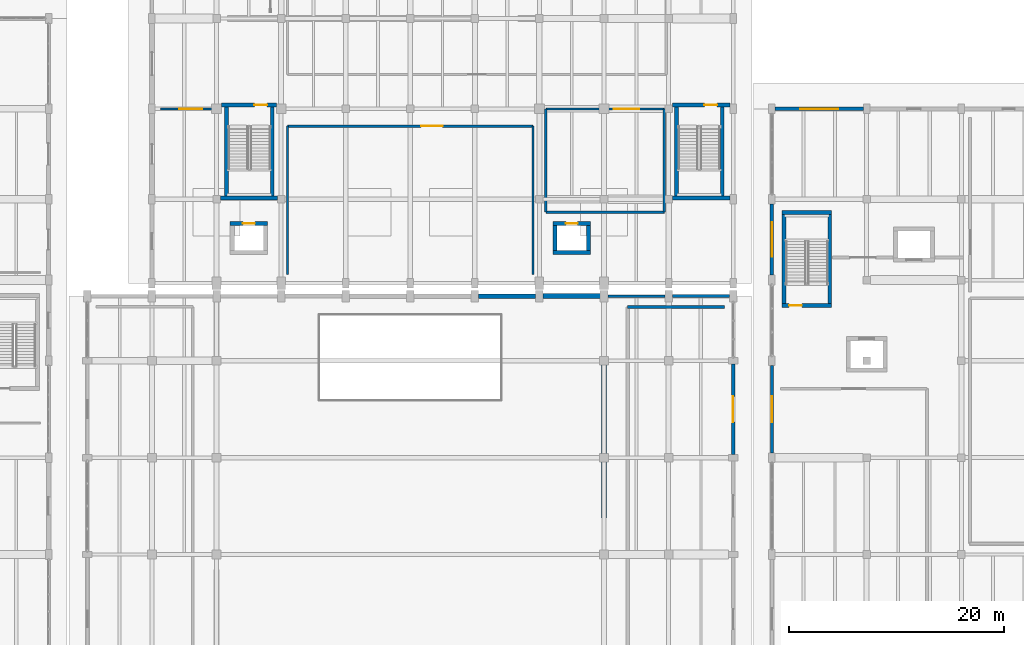
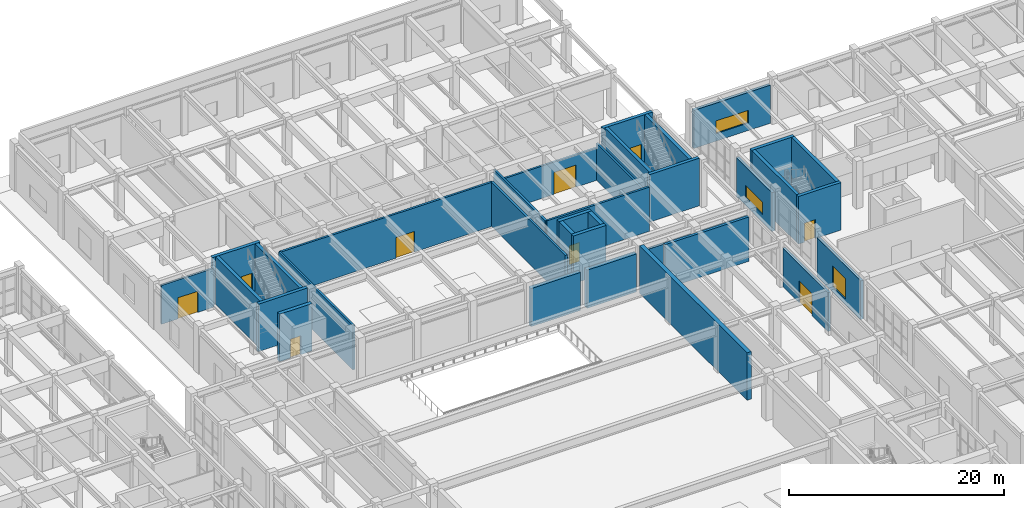
# One storey, part 75 of 91: 35 walls, 9 doors, 3 windows, 12 openings.
"""IFC4 building model written with IfcOpenShell, lengths in metres."""

import ifcopenshell
import ifcopenshell.guid

model = None  # the IFC model being written
_history = None  # IfcOwnerHistory: only IFC2X3 demands one
_inside = {}  # id of a spatial element -> (the spatial element, [elements in it])
_under = {}  # id of a project, library or spatial element -> (it, [spatial elements below it])
_declared = {}  # id of a project -> (the project, [libraries it declares])
_typed = {}  # id of a type object -> (the type object, [elements of that type])
_made_of = {}  # id of a material, layer set ... -> (it, [elements and type objects made of it])


def new_model(schema):
    """Start an empty IFC model of exactly this schema.

    Asked for "IFC4X3", IfcOpenShell would pick the latest addendum, in which some entities
    have other attributes; the version numbers below select the first issue.
    IFC2X3 requires an IfcOwnerHistory on every rooted entity: one is made here for all.
    """
    global model, _history
    if schema == "IFC4X3":
        model = ifcopenshell.file(schema_version=(4, 3, 0, 0))
    else:
        model = ifcopenshell.file(schema=schema)
    _inside.clear()
    _under.clear()
    _declared.clear()
    _typed.clear()
    _made_of.clear()
    _history = None
    if model.schema == "IFC2X3":
        org = make("IfcOrganization", Name="unknown")
        user = make(
            "IfcPersonAndOrganization",
            ThePerson=make("IfcPerson", FamilyName="unknown"),
            TheOrganization=org,
        )
        app = make(
            "IfcApplication",
            ApplicationDeveloper=org,
            Version="unknown",
            ApplicationFullName="unknown",
            ApplicationIdentifier="unknown",
        )
        _history = make(
            "IfcOwnerHistory",
            OwningUser=user,
            OwningApplication=app,
            ChangeAction="ADDED",
            CreationDate=0,
        )
    return model


def make(cls, **values):
    """One entity of the class cls with the attributes given. An attribute that is None is left unset."""
    return model.create_entity(
        cls, **{name: value for name, value in values.items() if value is not None}
    )


def rooted(cls, **values):
    """An entity with a GlobalId (a new one), such as an element, a storey or a relation."""
    return make(cls, GlobalId=ifcopenshell.guid.new(), OwnerHistory=_history, **values)


def si_unit(unit_type, name, prefix=None):
    """IfcSIUnit, for example si_unit("LENGTHUNIT", "METRE", prefix="MILLI")."""
    return make("IfcSIUnit", UnitType=unit_type, Prefix=prefix, Name=name)


def assignment(units):
    """IfcUnitAssignment: the units of a project."""
    return None if units is None else make("IfcUnitAssignment", Units=units)


def point(xyz):
    """IfcCartesianPoint."""
    return None if xyz is None else make("IfcCartesianPoint", Coordinates=xyz)


def direction(xyz):
    """IfcDirection."""
    return None if xyz is None else make("IfcDirection", DirectionRatios=xyz)


def frame(location, z_axis=None, x_axis=None):
    """IfcAxis2Placement3D, a coordinate frame: its origin and axes. An axis left out is left unset."""
    return make(
        "IfcAxis2Placement3D",
        Location=point(location),
        Axis=direction(z_axis),
        RefDirection=direction(x_axis),
    )


def frame_2d(location, x_axis=None):
    """IfcAxis2Placement2D, a coordinate frame in the plane: its origin and x axis."""
    return make(
        "IfcAxis2Placement2D", Location=point(location), RefDirection=direction(x_axis)
    )


def origin():
    """The frame at (0, 0, 0) with its axes left unset."""
    return frame((0.0, 0.0, 0.0))


def place(relative_to, where):
    """IfcLocalPlacement: puts the frame where relative to a parent placement (None: the world)."""
    return make(
        "IfcLocalPlacement", PlacementRelTo=relative_to, RelativePlacement=where
    )


def context(
    kind, dimensions, precision=None, world=None, true_north=None, identifier=None
):
    """IfcGeometricRepresentationContext, for example the 3D "Model" context."""
    return make(
        "IfcGeometricRepresentationContext",
        ContextIdentifier=identifier,
        ContextType=kind,
        CoordinateSpaceDimension=dimensions,
        Precision=precision,
        WorldCoordinateSystem=world,
        TrueNorth=true_north,
    )


def subcontext(parent, identifier, kind, view, scale=None):
    """IfcGeometricRepresentationSubContext, for example "Body" below "Model"."""
    return make(
        "IfcGeometricRepresentationSubContext",
        ContextIdentifier=identifier,
        ContextType=kind,
        ParentContext=parent,
        TargetScale=scale,
        TargetView=view,
    )


def project(units=None, contexts=None):
    """IfcProject with its units and contexts."""
    return rooted(
        "IfcProject",
        Name="project",
        RepresentationContexts=contexts,
        UnitsInContext=assignment(units),
    )


def spatial(cls, under=None, at=None, **own):
    """A site, building, storey or space (cls), placed at a placement, below another one or the project."""
    s = rooted(cls, ObjectPlacement=at, **own)
    if under is not None:
        _under.setdefault(under.id(), (under, []))[1].append(s)
    return s


def profile(cls, at=None, kind="AREA", **sizes):
    """A parametric profile (cls). Its sizes go by their IFC names, for example OverallWidth=200.0."""
    return make(cls, ProfileType=kind, Position=at, **sizes)


def rectangle(**sizes):
    """IfcRectangleProfileDef."""
    return profile("IfcRectangleProfileDef", **sizes)


def extrude(swept, where, along, depth):
    """IfcExtrudedAreaSolid: the profile swept, set in the frame where, extruded along a direction by depth."""
    return make(
        "IfcExtrudedAreaSolid",
        SweptArea=swept,
        Position=where,
        ExtrudedDirection=direction(along),
        Depth=depth,
    )


def shape(context_of_items, identifier, shape_type, items):
    """IfcShapeRepresentation: the items that make up one representation, for example the "Body"."""
    return make(
        "IfcShapeRepresentation",
        ContextOfItems=context_of_items,
        RepresentationIdentifier=identifier,
        RepresentationType=shape_type,
        Items=items,
    )


def material(Name=None, Category=None):
    """IfcMaterial."""
    return make("IfcMaterial", Name=Name, Category=Category)


def layer(
    of_material, thickness, ventilated=None, Name=None, Category=None, Priority=None
):
    """IfcMaterialLayer: one layer of a wall or slab, of a material (None: an air gap)."""
    return make(
        "IfcMaterialLayer",
        Material=of_material,
        LayerThickness=thickness,
        IsVentilated=ventilated,
        Name=Name,
        Category=Category,
        Priority=Priority,
    )


def layer_set(layers, Name=None):
    """IfcMaterialLayerSet."""
    return make("IfcMaterialLayerSet", MaterialLayers=layers, LayerSetName=Name)


def made_of(thing, what):
    """Note that an element or type object is made of a material, layer set ...; save() writes the relation."""
    if what is not None:
        _made_of.setdefault(what.id(), (what, []))[1].append(thing)
    return thing


def type_object(cls, material=None, **own):
    """A type object (cls), such as IfcWallType, which elements share."""
    return made_of(rooted(cls, **own), material)


def element(
    cls,
    number,
    at=None,
    inside=None,
    cuts=None,
    type_object=None,
    material=None,
    context=None,
    identifier="Body",
    shape_type=None,
    held_by="IfcProductDefinitionShape",
    body=None,
    shapes=None,
    **own,
):
    """One element of the class cls, such as IfcWall. Its Tag is "e" and its number.

    at: its placement. inside: the storey or other place that contains it. cuts: it is an
    opening in that element (IfcRelVoidsElement). A single representation is given by context,
    identifier, shape_type and body (its items); several are given by shapes. held_by: the class
    of the entity that holds the representations. save() writes the other relations.
    """
    e = rooted(cls, Tag="e%d" % number, ObjectPlacement=at, **own)
    if body is not None:
        shapes = [shape(context, identifier, shape_type, body)]
    if shapes is not None:
        e.Representation = make(held_by, Representations=shapes)
    if inside is not None:
        _inside.setdefault(inside.id(), (inside, []))[1].append(e)
    if cuts is not None:
        rooted(
            "IfcRelVoidsElement", RelatingBuildingElement=cuts, RelatedOpeningElement=e
        )
    if type_object is not None:
        _typed.setdefault(type_object.id(), (type_object, []))[1].append(e)
    return made_of(e, material)


def fill(opening, filler):
    """IfcRelFillsElement: the door or window that sits in an opening."""
    return rooted(
        "IfcRelFillsElement",
        RelatingOpeningElement=opening,
        RelatedBuildingElement=filler,
    )


def aggregate(whole, parts):
    """IfcRelAggregates: a whole, such as a stair, and the parts it consists of."""
    return rooted("IfcRelAggregates", RelatingObject=whole, RelatedObjects=parts)


def save(model, path):
    """Write the relations noted so far, then the file.

    IfcRelAggregates (storeys below a building ...), IfcRelContainedInSpatialStructure (elements
    in a storey), IfcRelDefinesByType, IfcRelAssociatesMaterial and IfcRelDeclares: one each for
    every whole, place, type object, material and project.
    """
    for whole, parts in _under.values():
        aggregate(whole, parts)
    for where, things in _inside.values():
        rooted(
            "IfcRelContainedInSpatialStructure",
            RelatedElements=things,
            RelatingStructure=where,
        )
    for kind, things in _typed.values():
        rooted("IfcRelDefinesByType", RelatedObjects=things, RelatingType=kind)
    for what, things in _made_of.values():
        rooted("IfcRelAssociatesMaterial", RelatedObjects=things, RelatingMaterial=what)
    for by, libraries in _declared.values():
        rooted("IfcRelDeclares", RelatingContext=by, RelatedDefinitions=libraries)
    model.write(path)


model = new_model("IFC4")

# Units and contexts
model_context = context("Model", 3, precision=1e-05, world=origin(), true_north=direction((0.0, 1.0)))
body_context = subcontext(model_context, "Body", "Model", "MODEL_VIEW")
ifc_project = project(units=[si_unit("LENGTHUNIT", "METRE"), si_unit("AREAUNIT", "SQUARE_METRE"), si_unit("VOLUMEUNIT", "CUBIC_METRE"), si_unit("PLANEANGLEUNIT", "RADIAN"), si_unit("MASSUNIT", "GRAM", prefix="KILO")], contexts=[model_context])

# Site, building, storey
site_placement = place(None, origin())
site = spatial("IfcSite", under=ifc_project, at=site_placement, CompositionType="ELEMENT")
building_placement = place(site_placement, origin())
building = spatial("IfcBuilding", under=site, at=building_placement, Name="Vaelkrest Opera House", CompositionType="ELEMENT")
storey_placement = place(building_placement, origin())
storey = spatial("IfcBuildingStorey", under=building, at=storey_placement, Name="L00", CompositionType="ELEMENT", Elevation=0.0)

# Walls
ifc_material_1 = material(Name="Douglas fir glulam GL28h", Category="wood")
ifc_layer_1 = layer(ifc_material_1, 0.2548828125)
ifc_layer_set_1 = layer_set([ifc_layer_1], Name="Douglas fir glulam GL28h")
wall_type_1 = type_object("IfcWallType", Name="EW01", PredefinedType="STANDARD", material=ifc_layer_set_1)
wall_1_placement = place(storey_placement, frame((18.347900390625, 16.199951171875, 0.0), z_axis=(0.0, 0.0, 1.0), x_axis=(1.0, 0.0, 0.0)))
element("IfcWall", 1, at=wall_1_placement, inside=storey, type_object=wall_type_1, Name="Exterior facade wall EW-V1-L00-0021", PredefinedType="STANDARD", context=body_context, shape_type="SweptSolid", body=[
    extrude(rectangle(XDim=5.30419921875, YDim=0.2548828125, at=frame_2d((2.652099609375, 0.0))), origin(), (0.0, 0.0, 1.0), 4.320068359375),
])
ifc_layer_2 = layer(ifc_material_1, 0.27490234375)
ifc_layer_set_2 = layer_set([ifc_layer_2], Name="Douglas fir glulam GL28h")
wall_type_2 = type_object("IfcWallType", Name="EW02", PredefinedType="STANDARD", material=ifc_layer_set_2)
wall_2_placement = place(storey_placement, frame((24.347900390625, 16.199951171875, 0.0), z_axis=(0.0, 0.0, 1.0), x_axis=(1.0, 0.0, 0.0)))
element("IfcWall", 2, at=wall_2_placement, inside=storey, type_object=wall_type_2, Name="Exterior facade wall EW-V1-L00-0022", PredefinedType="STANDARD", context=body_context, shape_type="SweptSolid", body=[
    extrude(rectangle(XDim=5.30419921875, YDim=0.27490234375, at=frame_2d((2.652099609375, 0.0))), origin(), (0.0, 0.0, 1.0), 4.320068359375),
])

# Wall, opening, door
ifc_layer_3 = layer(ifc_material_1, 0.294921875)
ifc_layer_set_3 = layer_set([ifc_layer_3], Name="Douglas fir glulam GL28h")
wall_type_3 = type_object("IfcWallType", Name="EW03", PredefinedType="STANDARD", material=ifc_layer_set_3)
wall_3_placement = place(storey_placement, frame((30.0, 9.902099609375, 0.0), z_axis=(0.0, 0.0, 1.0), x_axis=(0.0, -1.0, 0.0)))
wall_3 = element("IfcWall", 3, at=wall_3_placement, inside=storey, type_object=wall_type_3, Name="Exterior facade wall EW-V1-L00-0023", PredefinedType="STANDARD", context=body_context, shape_type="SweptSolid", body=[
    extrude(rectangle(XDim=8.404052734375, YDim=0.294921875, at=frame_2d((4.2021484375, 0.0))), origin(), (0.0, 0.0, 1.0), 4.404052734375),
])
opening_1_placement = place(wall_3_placement, frame((3.001953125, 0.0, 0.0)))
opening_1 = element("IfcOpeningElement", 4, at=opening_1_placement, cuts=wall_3, Name="Opening ED08", PredefinedType="OPENING", context=body_context, shape_type="SweptSolid", body=[
    extrude(rectangle(XDim=2.39990234375, YDim=2.5, at=frame_2d((1.199951171875, 1.25))), frame((0.0, 0.157470703125, 0.0), z_axis=(0.0, -1.0, 0.0), x_axis=(1.0, 0.0, 0.0)), (0.0, 0.0, 1.0), 0.31494140625),
])
ifc_material_2 = material(Name="Dark bronze anodized aluminium", Category="aluminium")
door_type_1 = type_object("IfcDoorType", Name="EDT08", OperationType="DOUBLE_DOOR_SINGLE_SWING", PredefinedType="DOOR", material=ifc_material_2)
door_1_placement = place(opening_1_placement, origin())
door_1 = element("IfcDoor", 5, at=door_1_placement, inside=storey, type_object=door_type_1, Name="Exterior exit door ED08", OperationType="DOUBLE_DOOR_SINGLE_SWING", OverallHeight=2.5, OverallWidth=2.39990234375, PredefinedType="DOOR", context=body_context, shape_type="SweptSolid", body=[
    extrude(rectangle(XDim=2.39990234375, YDim=2.5, at=frame_2d((1.199951171875, 1.25))), frame((0.0, 0.02490234375, 0.0), z_axis=(0.0, -1.0, 0.0), x_axis=(1.0, 0.0, 0.0)), (0.0, 0.0, 1.0), 0.050048828125),
])
fill(opening_1, door_1)

# Wall, opening, window
wall_4_placement = place(storey_placement, frame((33.60009765625, 1.64794921875, 0.0), z_axis=(0.0, 0.0, 1.0), x_axis=(0.0, 1.0, 0.0)))
wall_4 = element("IfcWall", 6, at=wall_4_placement, inside=storey, type_object=wall_type_3, Name="Exterior facade wall EW-V4-L00-0213", PredefinedType="STANDARD", context=body_context, shape_type="SweptSolid", body=[
    extrude(rectangle(XDim=8.10400390625, YDim=0.294921875, at=frame_2d((4.052001953125, 0.0))), origin(), (0.0, 0.0, 1.0), 4.404052734375),
])
opening_2_placement = place(wall_4_placement, frame((2.85205078125, 0.0, 0.60009765625)))
opening_2 = element("IfcOpeningElement", 7, at=opening_2_placement, cuts=wall_4, Name="Opening WN102", PredefinedType="OPENING", context=body_context, shape_type="SweptSolid", body=[
    extrude(rectangle(XDim=2.39990234375, YDim=2.35009765625, at=frame_2d((1.199951171875, 1.175048828125))), frame((0.0, 0.157470703125, 0.0), z_axis=(0.0, -1.0, 0.0), x_axis=(1.0, 0.0, 0.0)), (0.0, 0.0, 1.0), 0.31494140625),
])
ifc_material_3 = material(Name="Double low-E insulated glazing", Category="glass")
window_type_1 = type_object("IfcWindowType", Name="WT24", PartitioningType="SINGLE_PANEL", PredefinedType="WINDOW", material=ifc_material_3)
window_1_placement = place(opening_2_placement, origin())
window_1 = element("IfcWindow", 8, at=window_1_placement, inside=storey, type_object=window_type_1, Name="Facade window WN102", OverallHeight=2.35009765625, OverallWidth=2.39990234375, PartitioningType="SINGLE_PANEL", PredefinedType="WINDOW", context=body_context, shape_type="SweptSolid", body=[
    extrude(rectangle(XDim=2.39990234375, YDim=2.35009765625, at=frame_2d((1.199951171875, 1.175048828125))), frame((0.0, 0.030029296875, 0.0), z_axis=(0.0, -1.0, 0.0), x_axis=(1.0, 0.0, 0.0)), (0.0, 0.0, 1.0), 0.06005859375),
])
fill(opening_2, window_1)

ifc_material_4 = material(Name="American black walnut acoustic timber", Category="wood")
ifc_layer_4 = layer(ifc_material_4, 0.31494140625)
ifc_layer_set_4 = layer_set([ifc_layer_4], Name="American black walnut acoustic timber")
wall_type_4 = type_object("IfcWallType", Name="EW04", PredefinedType="STANDARD", material=ifc_layer_set_4)
wall_5_placement = place(storey_placement, frame((33.60009765625, 18.14794921875, 0.0), z_axis=(0.0, 0.0, 1.0), x_axis=(0.0, 1.0, 0.0)))
wall_5 = element("IfcWall", 9, at=wall_5_placement, inside=storey, type_object=wall_type_4, Name="Exterior facade wall EW-V4-L00-0214", PredefinedType="STANDARD", context=body_context, shape_type="SweptSolid", body=[
    extrude(rectangle(XDim=6.60400390625, YDim=0.31494140625, at=frame_2d((3.302001953125, 0.0))), origin(), (0.0, 0.0, 1.0), 4.404052734375),
])
opening_3_placement = place(wall_5_placement, frame((1.701904296875, 0.0, 0.85009765625)))
opening_3 = element("IfcOpeningElement", 10, at=opening_3_placement, cuts=wall_5, Name="Opening WN103", PredefinedType="OPENING", context=body_context, shape_type="SweptSolid", body=[
    extrude(rectangle(XDim=3.199951171875, YDim=1.449951171875, at=frame_2d((1.60009765625, 0.72509765625))), frame((0.0, 0.16748046875, 0.0), z_axis=(0.0, -1.0, 0.0), x_axis=(1.0, 0.0, 0.0)), (0.0, 0.0, 1.0), 0.3349609375),
])
window_type_2 = type_object("IfcWindowType", Name="WT25", PartitioningType="SINGLE_PANEL", PredefinedType="WINDOW", material=ifc_material_3)
window_2_placement = place(opening_3_placement, origin())
window_2 = element("IfcWindow", 11, at=window_2_placement, inside=storey, type_object=window_type_2, Name="Facade window WN103", OverallHeight=1.449951171875, OverallWidth=3.199951171875, PartitioningType="SINGLE_PANEL", PredefinedType="WINDOW", context=body_context, shape_type="SweptSolid", body=[
    extrude(rectangle(XDim=3.199951171875, YDim=1.449951171875, at=frame_2d((1.60009765625, 0.72509765625))), frame((0.0, 0.030029296875, 0.0), z_axis=(0.0, -1.0, 0.0), x_axis=(1.0, 0.0, 0.0)), (0.0, 0.0, 1.0), 0.06005859375),
])
fill(opening_3, window_2)

ifc_layer_5 = layer(ifc_material_4, 0.3349609375)
ifc_layer_set_5 = layer_set([ifc_layer_5], Name="American black walnut acoustic timber")
wall_type_5 = type_object("IfcWallType", Name="EW05", PredefinedType="STANDARD", material=ifc_layer_set_5)
wall_6_placement = place(storey_placement, frame((33.89794921875, 33.60009765625, 0.0), z_axis=(0.0, 0.0, 1.0), x_axis=(1.0, 0.0, 0.0)))
wall_6 = element("IfcWall", 12, at=wall_6_placement, inside=storey, type_object=wall_type_5, Name="Exterior facade wall EW-V4-L00-0215", PredefinedType="STANDARD", context=body_context, shape_type="SweptSolid", body=[
    extrude(rectangle(XDim=8.2041015625, YDim=0.3349609375, at=frame_2d((4.10205078125, 0.0))), origin(), (0.0, 0.0, 1.0), 4.320068359375),
])
opening_4_placement = place(wall_6_placement, frame((2.35205078125, 0.0, 0.85009765625)))
opening_4 = element("IfcOpeningElement", 13, at=opening_4_placement, cuts=wall_6, Name="Opening WN104", PredefinedType="OPENING", context=body_context, shape_type="SweptSolid", body=[
    extrude(rectangle(XDim=3.5, YDim=1.449951171875, at=frame_2d((1.75, 0.72509765625))), frame((0.0, 0.177490234375, 0.0), z_axis=(0.0, -1.0, 0.0), x_axis=(1.0, 0.0, 0.0)), (0.0, 0.0, 1.0), 0.35498046875),
])
window_type_3 = type_object("IfcWindowType", Name="WT26", PartitioningType="SINGLE_PANEL", PredefinedType="WINDOW", material=ifc_material_3)
window_3_placement = place(opening_4_placement, origin())
window_3 = element("IfcWindow", 14, at=window_3_placement, inside=storey, type_object=window_type_3, Name="Facade window WN104", OverallHeight=1.449951171875, OverallWidth=3.5, PartitioningType="SINGLE_PANEL", PredefinedType="WINDOW", context=body_context, shape_type="SweptSolid", body=[
    extrude(rectangle(XDim=3.5, YDim=1.449951171875, at=frame_2d((1.75, 0.72509765625))), frame((0.0, 0.030029296875, 0.0), z_axis=(0.0, -1.0, 0.0), x_axis=(1.0, 0.0, 0.0)), (0.0, 0.0, 1.0), 0.06005859375),
])
fill(opening_4, window_3)

# Walls
ifc_material_5 = material(Name="Concrete C40/50", Category="concrete")
ifc_layer_6 = layer(ifc_material_5, 0.43505859375)
ifc_layer_set_6 = layer_set([ifc_layer_6], Name="Concrete C40/50")
wall_type_6 = type_object("IfcWallType", Name="EW09", PredefinedType="STANDARD", material=ifc_layer_set_6)
wall_7_placement = place(storey_placement, frame((6.347900390625, 16.199951171875, 0.0), z_axis=(0.0, 0.0, 1.0), x_axis=(1.0, 0.0, 0.0)))
element("IfcWall", 15, at=wall_7_placement, inside=storey, type_object=wall_type_6, Name="Exterior facade wall EW-V1-L00-0019", PredefinedType="STANDARD", context=body_context, shape_type="SweptSolid", body=[
    extrude(rectangle(XDim=5.30419921875, YDim=0.43505859375, at=frame_2d((2.652099609375, 0.0))), origin(), (0.0, 0.0, 1.0), 4.320068359375),
])
ifc_layer_7 = layer(ifc_material_5, 0.465087890625)
ifc_layer_set_7 = layer_set([ifc_layer_7], Name="Concrete C40/50")
wall_type_7 = type_object("IfcWallType", Name="EW10", PredefinedType="STANDARD", material=ifc_layer_set_7)
wall_8_placement = place(storey_placement, frame((12.347900390625, 16.199951171875, 0.0), z_axis=(0.0, 0.0, 1.0), x_axis=(1.0, 0.0, 0.0)))
element("IfcWall", 16, at=wall_8_placement, inside=storey, type_object=wall_type_7, Name="Exterior facade wall EW-V1-L00-0020", PredefinedType="STANDARD", context=body_context, shape_type="SweptSolid", body=[
    extrude(rectangle(XDim=5.30419921875, YDim=0.465087890625, at=frame_2d((2.652099609375, 0.0))), origin(), (0.0, 0.0, 1.0), 4.320068359375),
])
ifc_layer_8 = layer(ifc_material_4, 0.2099609375)
ifc_layer_set_8 = layer_set([ifc_layer_8], Name="American black walnut acoustic timber")
wall_type_8 = type_object("IfcWallType", Name="PT07", PredefinedType="PARTITIONING", material=ifc_layer_set_8)
wall_9_placement = place(storey_placement, frame((-11.39990234375, 18.199951171875, 0.0), z_axis=(0.0, 0.0, 1.0), x_axis=(0.0, 1.0, 0.0)))
element("IfcWall", 17, at=wall_9_placement, inside=storey, type_object=wall_type_8, Name="Interior partition PT-V2-L00-0171", PredefinedType="PARTITIONING", context=body_context, shape_type="SweptSolid", body=[
    extrude(rectangle(XDim=13.800048828125, YDim=0.2099609375, at=frame_2d((6.89990234375, 0.0))), origin(), (0.0, 0.0, 1.0), 5.02001953125),
])

# Wall, opening, door
wall_10_placement = place(storey_placement, frame((-23.199951171875, 33.60009765625, 0.0), z_axis=(0.0, 0.0, 1.0), x_axis=(1.0, 0.0, 0.0)))
wall_10 = element("IfcWall", 18, at=wall_10_placement, inside=storey, type_object=wall_type_8, Name="Interior partition PT-V2-L00-0173", PredefinedType="PARTITIONING", context=body_context, shape_type="SweptSolid", body=[
    extrude(rectangle(XDim=5.599853515625, YDim=0.2099609375, at=frame_2d((2.7998046875, 0.0))), origin(), (0.0, 0.0, 1.0), 4.404052734375),
])
opening_5_placement = place(wall_10_placement, frame((1.72509765625, 0.0, 0.0)))
opening_5 = element("IfcOpeningElement", 19, at=opening_5_placement, cuts=wall_10, Name="Opening D065", PredefinedType="OPENING", context=body_context, shape_type="SweptSolid", body=[
    extrude(rectangle(XDim=2.14990234375, YDim=2.39990234375, at=frame_2d((1.074951171875, 1.199951171875))), frame((0.0, 0.114990234375, 0.0), z_axis=(0.0, -1.0, 0.0), x_axis=(1.0, 0.0, 0.0)), (0.0, 0.0, 1.0), 0.22998046875),
])
door_type_2 = type_object("IfcDoorType", Name="DT17", OperationType="DOUBLE_DOOR_SINGLE_SWING", PredefinedType="DOOR", material=ifc_material_4)
door_2_placement = place(opening_5_placement, origin())
door_2 = element("IfcDoor", 20, at=door_2_placement, inside=storey, type_object=door_type_2, Name="Interior door D065 (Left Side Stage)", OperationType="DOUBLE_DOOR_SINGLE_SWING", OverallHeight=2.39990234375, OverallWidth=2.14990234375, PredefinedType="DOOR", context=body_context, shape_type="SweptSolid", body=[
    extrude(rectangle(XDim=2.14990234375, YDim=2.39990234375, at=frame_2d((1.074951171875, 1.199951171875))), frame((0.0, 0.02490234375, 0.0), z_axis=(0.0, -1.0, 0.0), x_axis=(1.0, 0.0, 0.0)), (0.0, 0.0, 1.0), 0.050048828125),
])
fill(opening_5, door_2)

wall_11_placement = place(storey_placement, frame((12.60009765625, 33.60009765625, 0.0), z_axis=(0.0, 0.0, 1.0), x_axis=(1.0, 0.0, 0.0)))
wall_11 = element("IfcWall", 21, at=wall_11_placement, inside=storey, type_object=wall_type_8, Name="Interior partition PT-V2-L00-0175", PredefinedType="PARTITIONING", context=body_context, shape_type="SweptSolid", body=[
    extrude(rectangle(XDim=11.0, YDim=0.2099609375, at=frame_2d((5.5, 0.0))), origin(), (0.0, 0.0, 1.0), 3.6650390625),
])
opening_6_placement = place(wall_11_placement, frame((6.324951171875, 0.0, 0.0)))
opening_6 = element("IfcOpeningElement", 22, at=opening_6_placement, cuts=wall_11, Name="Opening D066", PredefinedType="OPENING", context=body_context, shape_type="SweptSolid", body=[
    extrude(rectangle(XDim=2.35009765625, YDim=2.5, at=frame_2d((1.175048828125, 1.25))), frame((0.0, 0.114990234375, 0.0), z_axis=(0.0, -1.0, 0.0), x_axis=(1.0, 0.0, 0.0)), (0.0, 0.0, 1.0), 0.22998046875),
])
door_type_3 = type_object("IfcDoorType", Name="DT18", OperationType="DOUBLE_DOOR_SINGLE_SWING", PredefinedType="DOOR", material=ifc_material_4)
door_3_placement = place(opening_6_placement, origin())
door_3 = element("IfcDoor", 23, at=door_3_placement, inside=storey, type_object=door_type_3, Name="Interior door D066 (Right Side Stage)", OperationType="DOUBLE_DOOR_SINGLE_SWING", OverallHeight=2.5, OverallWidth=2.35009765625, PredefinedType="DOOR", context=body_context, shape_type="SweptSolid", body=[
    extrude(rectangle(XDim=2.35009765625, YDim=2.5, at=frame_2d((1.175048828125, 1.25))), frame((0.0, 0.02490234375, 0.0), z_axis=(0.0, -1.0, 0.0), x_axis=(1.0, 0.0, 0.0)), (0.0, 0.0, 1.0), 0.050048828125),
])
fill(opening_6, door_3)

# Wall
wall_12_placement = place(storey_placement, frame((23.60009765625, 24.0, 0.0), z_axis=(0.0, 0.0, 1.0), x_axis=(0.0, 1.0, 0.0)))
element("IfcWall", 24, at=wall_12_placement, inside=storey, type_object=wall_type_8, Name="Interior partition PT-V2-L00-0177", PredefinedType="PARTITIONING", context=body_context, shape_type="SweptSolid", body=[
    extrude(rectangle(XDim=9.60009765625, YDim=0.2099609375, at=frame_2d((4.800048828125, 0.0))), origin(), (0.0, 0.0, 1.0), 4.1650390625),
])

# Wall, opening, door
ifc_layer_9 = layer(ifc_material_4, 0.22509765625)
ifc_layer_set_9 = layer_set([ifc_layer_9], Name="American black walnut acoustic timber")
wall_type_9 = type_object("IfcWallType", Name="PT08", PredefinedType="PARTITIONING", material=ifc_layer_set_9)
wall_13_placement = place(storey_placement, frame((-11.39990234375, 32.0, 0.0), z_axis=(0.0, 0.0, 1.0), x_axis=(1.0, 0.0, 0.0)))
wall_13 = element("IfcWall", 25, at=wall_13_placement, inside=storey, type_object=wall_type_9, Name="Interior partition PT-V2-L00-0170", PredefinedType="PARTITIONING", context=body_context, shape_type="SweptSolid", body=[
    extrude(rectangle(XDim=22.7998046875, YDim=0.22509765625, at=frame_2d((11.39990234375, 0.0))), origin(), (0.0, 0.0, 1.0), 5.02001953125),
])
opening_7_placement = place(wall_13_placement, frame((12.39990234375, 0.0, 0.0)))
opening_7 = element("IfcOpeningElement", 26, at=opening_7_placement, cuts=wall_13, Name="Opening D064", PredefinedType="OPENING", context=body_context, shape_type="SweptSolid", body=[
    extrude(rectangle(XDim=2.0, YDim=2.35009765625, at=frame_2d((1.0, 1.175048828125))), frame((0.0, 0.12255859375, 0.0), z_axis=(0.0, -1.0, 0.0), x_axis=(1.0, 0.0, 0.0)), (0.0, 0.0, 1.0), 0.2451171875),
])
door_type_4 = type_object("IfcDoorType", Name="DT16", OperationType="DOUBLE_DOOR_SINGLE_SWING", PredefinedType="DOOR", material=ifc_material_4)
door_4_placement = place(opening_7_placement, origin())
door_4 = element("IfcDoor", 27, at=door_4_placement, inside=storey, type_object=door_type_4, Name="Interior door D064 (Main Stage)", OperationType="DOUBLE_DOOR_SINGLE_SWING", OverallHeight=2.35009765625, OverallWidth=2.0, PredefinedType="DOOR", context=body_context, shape_type="SweptSolid", body=[
    extrude(rectangle(XDim=2.0, YDim=2.35009765625, at=frame_2d((1.0, 1.175048828125))), frame((0.0, 0.02490234375, 0.0), z_axis=(0.0, -1.0, 0.0), x_axis=(1.0, 0.0, 0.0)), (0.0, 0.0, 1.0), 0.050048828125),
])
fill(opening_7, door_4)

# Walls
wall_14_placement = place(storey_placement, frame((11.39990234375, 18.199951171875, 0.0), z_axis=(0.0, 0.0, 1.0), x_axis=(0.0, 1.0, 0.0)))
element("IfcWall", 28, at=wall_14_placement, inside=storey, type_object=wall_type_9, Name="Interior partition PT-V2-L00-0172", PredefinedType="PARTITIONING", context=body_context, shape_type="SweptSolid", body=[
    extrude(rectangle(XDim=13.800048828125, YDim=0.22509765625, at=frame_2d((6.89990234375, 0.0))), origin(), (0.0, 0.0, 1.0), 5.02001953125),
])
wall_15_placement = place(storey_placement, frame((12.60009765625, 24.0, 0.0), z_axis=(0.0, 0.0, 1.0), x_axis=(1.0, 0.0, 0.0)))
element("IfcWall", 29, at=wall_15_placement, inside=storey, type_object=wall_type_9, Name="Interior partition PT-V2-L00-0174", PredefinedType="PARTITIONING", context=body_context, shape_type="SweptSolid", body=[
    extrude(rectangle(XDim=11.0, YDim=0.22509765625, at=frame_2d((5.5, 0.0))), origin(), (0.0, 0.0, 1.0), 5.02001953125),
])
wall_16_placement = place(storey_placement, frame((12.60009765625, 24.0, 0.0), z_axis=(0.0, 0.0, 1.0), x_axis=(0.0, 1.0, 0.0)))
element("IfcWall", 30, at=wall_16_placement, inside=storey, type_object=wall_type_9, Name="Interior partition PT-V2-L00-0176", PredefinedType="PARTITIONING", context=body_context, shape_type="SweptSolid", body=[
    extrude(rectangle(XDim=9.60009765625, YDim=0.22509765625, at=frame_2d((4.800048828125, 0.0))), origin(), (0.0, 0.0, 1.0), 5.02001953125),
])
ifc_layer_10 = layer(ifc_material_5, 0.280029296875)
ifc_layer_set_10 = layer_set([ifc_layer_10], Name="Concrete C40/50")
wall_type_10 = type_object("IfcWallType", Name="PT11", PredefinedType="PARTITIONING", material=ifc_layer_set_10)
wall_17_placement = place(storey_placement, frame((20.199951171875, 15.199951171875, 0.0), z_axis=(0.0, 0.0, 1.0), x_axis=(1.0, 0.0, 0.0)))
element("IfcWall", 31, at=wall_17_placement, inside=storey, type_object=wall_type_10, Name="Interior partition PT-V1-L00-0053", PredefinedType="PARTITIONING", context=body_context, shape_type="SweptSolid", body=[
    extrude(rectangle(XDim=9.0, YDim=0.280029296875, at=frame_2d((4.5, 0.0))), origin(), (0.0, 0.0, 1.0), 5.02001953125),
])
ifc_material_6 = material(Name="Concrete C50/60", Category="concrete")
ifc_layer_11 = layer(ifc_material_6, 0.35009765625)
ifc_layer_set_11 = layer_set([ifc_layer_11], Name="Concrete C50/60")
wall_type_11 = type_object("IfcWallType", Name="SW01", PredefinedType="SHEAR", material=ifc_layer_set_11)
wall_18_placement = place(storey_placement, frame((-12.35009765625, 25.324951171875, 0.0), z_axis=(0.0, 0.0, 1.0), x_axis=(-1.0, 0.0, 0.0)))
element("IfcWall", 32, at=wall_18_placement, inside=storey, type_object=wall_type_11, Name="Stair core ST05 wall L00 S", PredefinedType="SHEAR", context=body_context, shape_type="SweptSolid", body=[
    extrude(rectangle(XDim=5.2998046875, YDim=0.35009765625, at=frame_2d((2.64990234375, 0.0))), origin(), (0.0, 0.0, 1.0), 5.39990234375),
])
wall_19_placement = place(storey_placement, frame((-17.074951171875, 25.5, 0.0), z_axis=(0.0, 0.0, 1.0), x_axis=(0.0, 1.0, 0.0)))
element("IfcWall", 33, at=wall_19_placement, inside=storey, type_object=wall_type_11, Name="Stair core ST05 wall L00 W", PredefinedType="SHEAR", context=body_context, shape_type="SweptSolid", body=[
    extrude(rectangle(XDim=8.300048828125, YDim=0.35009765625, at=frame_2d((4.14990234375, 0.0))), origin(), (0.0, 0.0, 1.0), 5.39990234375),
])

# Wall, opening, door
wall_20_placement = place(storey_placement, frame((-17.550048828125, 33.97509765625, 0.0), z_axis=(0.0, 0.0, 1.0), x_axis=(1.0, 0.0, 0.0)))
wall_20 = element("IfcWall", 34, at=wall_20_placement, inside=storey, type_object=wall_type_11, Name="Stair core ST05 wall L00 N", PredefinedType="SHEAR", context=body_context, shape_type="SweptSolid", body=[
    extrude(rectangle(XDim=5.10009765625, YDim=0.35009765625, at=frame_2d((2.550048828125, 0.0))), origin(), (0.0, 0.0, 1.0), 5.39990234375),
])
opening_8_placement = place(wall_20_placement, frame((3.070068359375, 0.0, 0.0)))
opening_8 = element("IfcOpeningElement", 35, at=opening_8_placement, cuts=wall_20, Name="Opening SD-ST05-L00", PredefinedType="OPENING", context=body_context, shape_type="SweptSolid", body=[
    extrude(rectangle(XDim=1.179931640625, YDim=2.14990234375, at=frame_2d((0.58984375, 1.074951171875))), frame((0.0, 0.18505859375, 0.0), z_axis=(0.0, -1.0, 0.0), x_axis=(1.0, 0.0, 0.0)), (0.0, 0.0, 1.0), 0.3701171875),
])
door_type_5 = type_object("IfcDoorType", Name="DT07", OperationType="NOTDEFINED", PredefinedType="DOOR", material=ifc_material_4)
door_5_placement = place(opening_8_placement, origin())
door_5 = element("IfcDoor", 36, at=door_5_placement, inside=storey, type_object=door_type_5, Name="Protected stair door SD-ST05-L00", OperationType="SINGLE_SWING_LEFT", OverallHeight=2.14990234375, OverallWidth=1.179931640625, PredefinedType="DOOR", context=body_context, shape_type="SweptSolid", body=[
    extrude(rectangle(XDim=1.179931640625, YDim=2.14990234375, at=frame_2d((0.58984375, 1.074951171875))), frame((0.0, 0.02490234375, 0.0), z_axis=(0.0, -1.0, 0.0), x_axis=(1.0, 0.0, 0.0)), (0.0, 0.0, 1.0), 0.050048828125),
])
fill(opening_8, door_5)

# Walls
wall_21_placement = place(storey_placement, frame((-12.824951171875, 33.800048828125, 0.0), z_axis=(0.0, 0.0, 1.0), x_axis=(0.0, -1.0, 0.0)))
element("IfcWall", 37, at=wall_21_placement, inside=storey, type_object=wall_type_11, Name="Stair core ST05 wall L00 E", PredefinedType="SHEAR", context=body_context, shape_type="SweptSolid", body=[
    extrude(rectangle(XDim=8.300048828125, YDim=0.35009765625, at=frame_2d((4.14990234375, 0.0))), origin(), (0.0, 0.0, 1.0), 5.39990234375),
])
wall_22_placement = place(storey_placement, frame((29.699951171875, 25.324951171875, 0.0), z_axis=(0.0, 0.0, 1.0), x_axis=(-1.0, 0.0, 0.0)))
element("IfcWall", 38, at=wall_22_placement, inside=storey, type_object=wall_type_11, Name="Stair core ST06 wall L00 S", PredefinedType="SHEAR", context=body_context, shape_type="SweptSolid", body=[
    extrude(rectangle(XDim=5.349853515625, YDim=0.35009765625, at=frame_2d((2.6748046875, 0.0))), origin(), (0.0, 0.0, 1.0), 5.39990234375),
])
wall_23_placement = place(storey_placement, frame((24.72509765625, 25.5, 0.0), z_axis=(0.0, 0.0, 1.0), x_axis=(0.0, 1.0, 0.0)))
element("IfcWall", 39, at=wall_23_placement, inside=storey, type_object=wall_type_11, Name="Stair core ST06 wall L00 W", PredefinedType="SHEAR", context=body_context, shape_type="SweptSolid", body=[
    extrude(rectangle(XDim=8.300048828125, YDim=0.35009765625, at=frame_2d((4.14990234375, 0.0))), origin(), (0.0, 0.0, 1.0), 5.39990234375),
])

# Wall, opening, door
wall_24_placement = place(storey_placement, frame((24.35009765625, 33.97509765625, 0.0), z_axis=(0.0, 0.0, 1.0), x_axis=(1.0, 0.0, 0.0)))
wall_24 = element("IfcWall", 40, at=wall_24_placement, inside=storey, type_object=wall_type_11, Name="Stair core ST06 wall L00 N", PredefinedType="SHEAR", context=body_context, shape_type="SweptSolid", body=[
    extrude(rectangle(XDim=5.349853515625, YDim=0.35009765625, at=frame_2d((2.6748046875, 0.0))), origin(), (0.0, 0.0, 1.0), 5.39990234375),
])
opening_9_placement = place(wall_24_placement, frame((2.969970703125, 0.0, 0.0)))
opening_9 = element("IfcOpeningElement", 41, at=opening_9_placement, cuts=wall_24, Name="Opening SD-ST06-L00", PredefinedType="OPENING", context=body_context, shape_type="SweptSolid", body=[
    extrude(rectangle(XDim=1.179931640625, YDim=2.14990234375, at=frame_2d((0.58984375, 1.074951171875))), frame((0.0, 0.18505859375, 0.0), z_axis=(0.0, -1.0, 0.0), x_axis=(1.0, 0.0, 0.0)), (0.0, 0.0, 1.0), 0.3701171875),
])
door_6_placement = place(opening_9_placement, origin())
door_6 = element("IfcDoor", 42, at=door_6_placement, inside=storey, type_object=door_type_5, Name="Protected stair door SD-ST06-L00", OperationType="SINGLE_SWING_RIGHT", OverallHeight=2.14990234375, OverallWidth=1.179931640625, PredefinedType="DOOR", context=body_context, shape_type="SweptSolid", body=[
    extrude(rectangle(XDim=1.179931640625, YDim=2.14990234375, at=frame_2d((0.58984375, 1.074951171875))), frame((0.0, 0.02490234375, 0.0), z_axis=(0.0, -1.0, 0.0), x_axis=(1.0, 0.0, 0.0)), (0.0, 0.0, 1.0), 0.050048828125),
])
fill(opening_9, door_6)

# Wall
wall_25_placement = place(storey_placement, frame((28.97509765625, 33.800048828125, 0.0), z_axis=(0.0, 0.0, 1.0), x_axis=(0.0, -1.0, 0.0)))
element("IfcWall", 43, at=wall_25_placement, inside=storey, type_object=wall_type_11, Name="Stair core ST06 wall L00 E", PredefinedType="SHEAR", context=body_context, shape_type="SweptSolid", body=[
    extrude(rectangle(XDim=8.300048828125, YDim=0.35009765625, at=frame_2d((4.14990234375, 0.0))), origin(), (0.0, 0.0, 1.0), 5.39990234375),
])

# Wall, opening, door
wall_26_placement = place(storey_placement, frame((39.14990234375, 15.324951171875, 0.0), z_axis=(0.0, 0.0, 1.0), x_axis=(-1.0, 0.0, 0.0)))
wall_26 = element("IfcWall", 44, at=wall_26_placement, inside=storey, type_object=wall_type_11, Name="Stair core ST09 wall L00 S", PredefinedType="SHEAR", context=body_context, shape_type="SweptSolid", body=[
    extrude(rectangle(XDim=4.599853515625, YDim=0.35009765625, at=frame_2d((2.2998046875, 0.0))), origin(), (0.0, 0.0, 1.0), 5.39990234375),
])
opening_10_placement = place(wall_26_placement, frame((2.77001953125, 0.0, 0.0)))
opening_10 = element("IfcOpeningElement", 45, at=opening_10_placement, cuts=wall_26, Name="Opening SD-ST09-L00", PredefinedType="OPENING", context=body_context, shape_type="SweptSolid", body=[
    extrude(rectangle(XDim=1.179931640625, YDim=2.14990234375, at=frame_2d((0.58984375, 1.074951171875))), frame((0.0, 0.18505859375, 0.0), z_axis=(0.0, -1.0, 0.0), x_axis=(1.0, 0.0, 0.0)), (0.0, 0.0, 1.0), 0.3701171875),
])
door_7_placement = place(opening_10_placement, origin())
door_7 = element("IfcDoor", 46, at=door_7_placement, inside=storey, type_object=door_type_5, Name="Protected stair door SD-ST09-L00", OperationType="SINGLE_SWING_LEFT", OverallHeight=2.14990234375, OverallWidth=1.179931640625, PredefinedType="DOOR", context=body_context, shape_type="SweptSolid", body=[
    extrude(rectangle(XDim=1.179931640625, YDim=2.14990234375, at=frame_2d((0.58984375, 1.074951171875))), frame((0.0, 0.02490234375, 0.0), z_axis=(0.0, -1.0, 0.0), x_axis=(1.0, 0.0, 0.0)), (0.0, 0.0, 1.0), 0.050048828125),
])
fill(opening_10, door_7)

# Walls
wall_27_placement = place(storey_placement, frame((34.72509765625, 15.5, 0.0), z_axis=(0.0, 0.0, 1.0), x_axis=(0.0, 1.0, 0.0)))
element("IfcWall", 47, at=wall_27_placement, inside=storey, type_object=wall_type_11, Name="Stair core ST09 wall L00 W", PredefinedType="SHEAR", context=body_context, shape_type="SweptSolid", body=[
    extrude(rectangle(XDim=8.300048828125, YDim=0.35009765625, at=frame_2d((4.14990234375, 0.0))), origin(), (0.0, 0.0, 1.0), 5.39990234375),
])
wall_28_placement = place(storey_placement, frame((34.550048828125, 23.97509765625, 0.0), z_axis=(0.0, 0.0, 1.0), x_axis=(1.0, 0.0, 0.0)))
element("IfcWall", 48, at=wall_28_placement, inside=storey, type_object=wall_type_11, Name="Stair core ST09 wall L00 N", PredefinedType="SHEAR", context=body_context, shape_type="SweptSolid", body=[
    extrude(rectangle(XDim=4.599853515625, YDim=0.35009765625, at=frame_2d((2.2998046875, 0.0))), origin(), (0.0, 0.0, 1.0), 5.39990234375),
])
wall_29_placement = place(storey_placement, frame((38.97509765625, 23.800048828125, 0.0), z_axis=(0.0, 0.0, 1.0), x_axis=(0.0, -1.0, 0.0)))
element("IfcWall", 49, at=wall_29_placement, inside=storey, type_object=wall_type_11, Name="Stair core ST09 wall L00 E", PredefinedType="SHEAR", context=body_context, shape_type="SweptSolid", body=[
    extrude(rectangle(XDim=8.300048828125, YDim=0.35009765625, at=frame_2d((4.14990234375, 0.0))), origin(), (0.0, 0.0, 1.0), 5.39990234375),
])

# Wall, opening, door
ifc_layer_12 = layer(ifc_material_6, 0.389892578125)
ifc_layer_set_12 = layer_set([ifc_layer_12], Name="Concrete C50/60")
wall_type_12 = type_object("IfcWallType", Name="SW02", PredefinedType="SHEAR", material=ifc_layer_set_12)
wall_30_placement = place(storey_placement, frame((-16.739990234375, 22.945068359375, 0.0), z_axis=(0.0, 0.0, 1.0), x_axis=(1.0, 0.0, 0.0)))
wall_30 = element("IfcWall", 50, at=wall_30_placement, inside=storey, type_object=wall_type_12, Name="Lift shaft LF01 wall L00 N", PredefinedType="SHEAR", context=body_context, shape_type="SweptSolid", body=[
    extrude(rectangle(XDim=3.47998046875, YDim=0.389892578125, at=frame_2d((1.739990234375, 0.0))), origin(), (0.0, 0.0, 1.0), 5.39990234375),
])
opening_11_placement = place(wall_30_placement, frame((1.18994140625, 0.0, 0.0)))
opening_11 = element("IfcOpeningElement", 51, at=opening_11_placement, cuts=wall_30, Name="Opening LD-LF01-L00", PredefinedType="OPENING", context=body_context, shape_type="SweptSolid", body=[
    extrude(rectangle(XDim=1.10009765625, YDim=2.14990234375, at=frame_2d((0.550048828125, 1.074951171875))), frame((0.0, 0.204833984375, 0.0), z_axis=(0.0, -1.0, 0.0), x_axis=(1.0, 0.0, 0.0)), (0.0, 0.0, 1.0), 0.409912109375),
])
door_type_6 = type_object("IfcDoorType", Name="LDT01", OperationType="SLIDING_TO_LEFT", PredefinedType="DOOR", material=ifc_material_2)
door_8_placement = place(opening_11_placement, origin())
door_8 = element("IfcDoor", 52, at=door_8_placement, inside=storey, type_object=door_type_6, Name="Lift landing sliding door LD-LF01-L00", OperationType="SLIDING_TO_LEFT", OverallHeight=2.14990234375, OverallWidth=1.10009765625, PredefinedType="DOOR", context=body_context, shape_type="SweptSolid", body=[
    extrude(rectangle(XDim=1.10009765625, YDim=2.14990234375, at=frame_2d((0.550048828125, 1.074951171875))), frame((0.0, 0.02490234375, 0.0), z_axis=(0.0, -1.0, 0.0), x_axis=(1.0, 0.0, 0.0)), (0.0, 0.0, 1.0), 0.050048828125),
])
fill(opening_11, door_8)

# Wall
wall_31_placement = place(storey_placement, frame((16.739990234375, 20.2548828125, 0.0), z_axis=(0.0, 0.0, 1.0), x_axis=(-1.0, 0.0, 0.0)))
element("IfcWall", 53, at=wall_31_placement, inside=storey, type_object=wall_type_12, Name="Lift shaft LF02 wall L00 S", PredefinedType="SHEAR", context=body_context, shape_type="SweptSolid", body=[
    extrude(rectangle(XDim=3.47998046875, YDim=0.389892578125, at=frame_2d((1.739990234375, 0.0))), origin(), (0.0, 0.0, 1.0), 5.39990234375),
])

# Wall, opening, door
wall_32_placement = place(storey_placement, frame((13.260009765625, 22.945068359375, 0.0), z_axis=(0.0, 0.0, 1.0), x_axis=(1.0, 0.0, 0.0)))
wall_32 = element("IfcWall", 54, at=wall_32_placement, inside=storey, type_object=wall_type_12, Name="Lift shaft LF02 wall L00 N", PredefinedType="SHEAR", context=body_context, shape_type="SweptSolid", body=[
    extrude(rectangle(XDim=3.47998046875, YDim=0.389892578125, at=frame_2d((1.739990234375, 0.0))), origin(), (0.0, 0.0, 1.0), 5.39990234375),
])
opening_12_placement = place(wall_32_placement, frame((1.18994140625, 0.0, 0.0)))
opening_12 = element("IfcOpeningElement", 55, at=opening_12_placement, cuts=wall_32, Name="Opening LD-LF02-L00", PredefinedType="OPENING", context=body_context, shape_type="SweptSolid", body=[
    extrude(rectangle(XDim=1.10009765625, YDim=2.14990234375, at=frame_2d((0.550048828125, 1.074951171875))), frame((0.0, 0.204833984375, 0.0), z_axis=(0.0, -1.0, 0.0), x_axis=(1.0, 0.0, 0.0)), (0.0, 0.0, 1.0), 0.409912109375),
])
door_9_placement = place(opening_12_placement, origin())
door_9 = element("IfcDoor", 56, at=door_9_placement, inside=storey, type_object=door_type_6, Name="Lift landing sliding door LD-LF02-L00", OperationType="SLIDING_TO_LEFT", OverallHeight=2.14990234375, OverallWidth=1.10009765625, PredefinedType="DOOR", context=body_context, shape_type="SweptSolid", body=[
    extrude(rectangle(XDim=1.10009765625, YDim=2.14990234375, at=frame_2d((0.550048828125, 1.074951171875))), frame((0.0, 0.02490234375, 0.0), z_axis=(0.0, -1.0, 0.0), x_axis=(1.0, 0.0, 0.0)), (0.0, 0.0, 1.0), 0.050048828125),
])
fill(opening_12, door_9)

# Walls
for number, where, z_axis, x_axis, name in (
    (57, (13.455078125, 20.449951171875, 0.0), (0.0, 0.0, 1.0), (0.0, 1.0, 0.0), "Lift shaft LF02 wall L00 W"),
    (58, (16.544921875, 22.75, 0.0), (0.0, 0.0, 1.0), (0.0, -1.0, 0.0), "Lift shaft LF02 wall L00 E"),
):
    element("IfcWall", number, at=place(storey_placement, frame(where, z_axis=z_axis, x_axis=x_axis)), inside=storey, type_object=wall_type_12, Name=name, PredefinedType="SHEAR", context=body_context, shape_type="SweptSolid", body=[
        extrude(rectangle(XDim=2.300048828125, YDim=0.389892578125, at=frame_2d((1.14990234375, 0.0))), origin(), (0.0, 0.0, 1.0), 5.39990234375),
    ])
ifc_layer_13 = layer(ifc_material_6, 0.449951171875)
ifc_layer_set_13 = layer_set([ifc_layer_13], Name="Concrete C50/60")
wall_type_13 = type_object("IfcWallType", Name="SW03", PredefinedType="SHEAR", material=ifc_layer_set_13)
wall_33_placement = place(storey_placement, frame((18.0, -4.39990234375, 0.0), z_axis=(0.0, 0.0, 1.0), x_axis=(0.0, 1.0, 0.0)))
element("IfcWall", 59, at=wall_33_placement, inside=storey, type_object=wall_type_13, Name="Auditorium shell wall E2 L00", PredefinedType="SHEAR", context=body_context, shape_type="SweptSolid", body=[
    extrude(rectangle(XDim=20.0498046875, YDim=0.449951171875, at=frame_2d((10.02490234375, 0.0))), origin(), (0.0, 0.0, 1.0), 5.39990234375),
])

save(model, "model.ifc")
